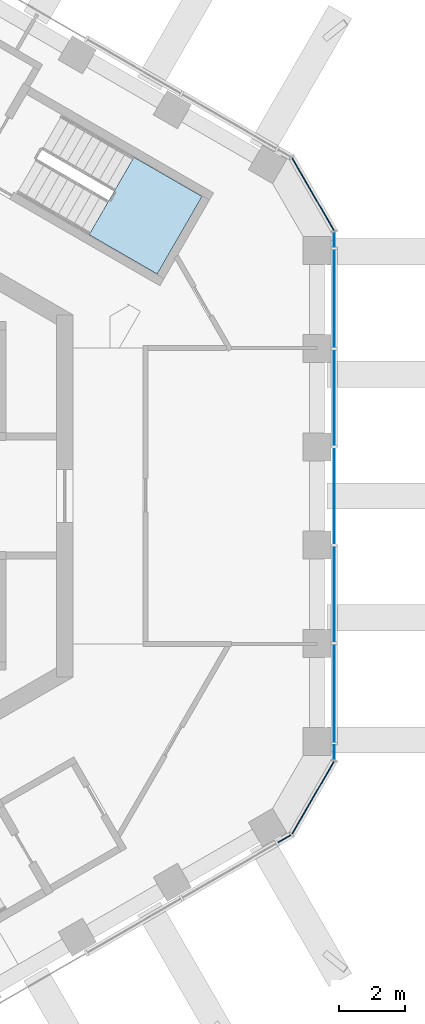
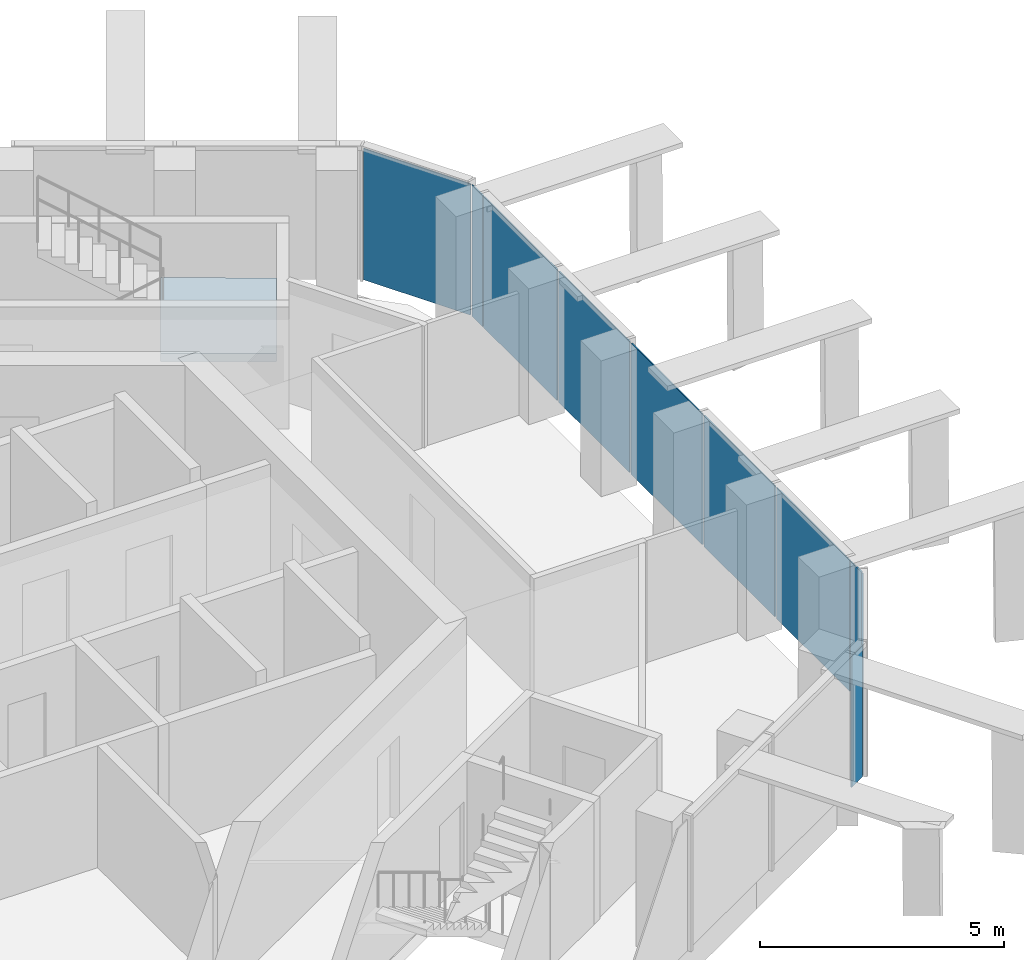
# One storey, part 9 of 17: 10 plates, 1 slab, 4 elements without a shape of their own.
"""IFC4 building model written with IfcOpenShell, lengths in metres."""

from ifc_helpers import new_model, si_unit, direction, frame, origin, origin_2d, place, context, subcontext, project, spatial, polyline, rectangle, outline, extrude, material, layer, layer_set, type_object, element, aggregate, save


model = new_model("IFC4")

# Units and contexts
model_context = context("Model", 3, precision=1e-05, world=origin(), true_north=direction((0.0, 1.0)))
body_context = subcontext(model_context, "Body", "Model", "MODEL_VIEW")
ifc_project = project(units=[si_unit("LENGTHUNIT", "METRE"), si_unit("AREAUNIT", "SQUARE_METRE"), si_unit("VOLUMEUNIT", "CUBIC_METRE"), si_unit("PLANEANGLEUNIT", "RADIAN"), si_unit("MASSUNIT", "GRAM", prefix="KILO")], contexts=[model_context])

# Site, building, storey
site_placement = place(None, origin())
site = spatial("IfcSite", under=ifc_project, at=site_placement, CompositionType="ELEMENT")
building_placement = place(site_placement, origin())
building = spatial("IfcBuilding", under=site, at=building_placement, Name="Ayvan Gate Tower", CompositionType="ELEMENT")
storey_placement = place(building_placement, frame((0.0, 0.0, 246.10009765625)))
storey = spatial("IfcBuildingStorey", under=building, at=storey_placement, Name="L66", CompositionType="ELEMENT", Elevation=246.10009765625)

# Stair, slab
ifc_material_1 = material(Name="Concrete C40/50", Category="concrete")
stair_type = type_object("IfcStairType", Name="ST-EXIT", PredefinedType="HALF_TURN_STAIR", material=ifc_material_1)
stair_placement = place(storey_placement, origin())
stair = element("IfcStair", 1, at=stair_placement, inside=storey, type_object=stair_type, Name="L66 Exit Stair S1", PredefinedType="HALF_TURN_STAIR")
ifc_layer_1 = layer(ifc_material_1, 0.199951171875)
ifc_layer_set_1 = layer_set([ifc_layer_1], Name="Concrete C40/50")
slab_type = type_object("IfcSlabType", Name="SL-LANDING-200", PredefinedType="LANDING", material=ifc_layer_set_1)
slab_placement = place(storey_placement, frame((0.0, 0.0, 1.5)))
slab = element("IfcSlab", 2, at=slab_placement, type_object=slab_type, Name="STS1 landing 1", PredefinedType="LANDING", context=body_context, shape_type="SweptSolid", body=[
    extrude(outline(polyline([(9.988525390625, 7.91064453125), (12.049560546875, 6.720458984375), (13.404541015625, 9.0673828125), (11.343505859375, 10.257568359375), (9.988525390625, 7.91064453125)])), origin(), (0.0, 0.0, 1.0), 0.199951171875),
])
aggregate(stair, [slab])

# Curtain wall, plates
ifc_material_2 = material(Name="Bronze anodised aluminium", Category="aluminium")
ifc_layer_2 = layer(ifc_material_2, 0.199951171875)
ifc_layer_set_2 = layer_set([ifc_layer_2], Name="Bronze anodised aluminium")
curtain_wall_type_1 = type_object("IfcCurtainWallType", Name="Stick curtain wall CW-2", PredefinedType="NOTDEFINED", material=ifc_layer_set_2)
curtain_wall_1_placement = place(storey_placement, origin())
curtain_wall_1 = element("IfcCurtainWall", 3, at=curtain_wall_1_placement, inside=storey, type_object=curtain_wall_type_1, Name="Stick curtain wall CW-2 L66", PredefinedType="NOTDEFINED")
ifc_material_3 = material(Name="Clear low-iron laminated glass", Category="glass")
ifc_layer_3 = layer(ifc_material_3, 0.028076171875)
ifc_layer_set_3 = layer_set([ifc_layer_3], Name="Clear low-iron laminated glass")
plate_type_1 = type_object("IfcPlateType", Name="Stick curtain wall CW-2 glass panel", PredefinedType="CURTAIN_PANEL", material=ifc_layer_set_3)
plate_1_placement = place(storey_placement, frame((17.41259765625, -5.999755859375, 0.0), z_axis=(0.0, 0.0, 1.0), x_axis=(0.0, 1.0, 0.0)))
plate_1 = element("IfcPlate", 4, at=plate_1_placement, type_object=plate_type_1, Name="CW-2 glass panel 1", PredefinedType="CURTAIN_PANEL", context=body_context, shape_type="SweptSolid", body=[
    extrude(rectangle(XDim=3.008056640625, YDim=0.028076171875, at=origin_2d()), origin(), (0.0, 0.0, 1.0), 3.280029296875),
])
plate_2_placement = place(storey_placement, frame((17.41259765625, -2.973876953125, 0.0), z_axis=(0.0, 0.0, 1.0), x_axis=(0.0, 1.0, 0.0)))
plate_2 = element("IfcPlate", 5, at=plate_2_placement, type_object=plate_type_1, Name="CW-2 glass panel 2", PredefinedType="CURTAIN_PANEL", context=body_context, shape_type="SweptSolid", body=[
    extrude(rectangle(XDim=2.904052734375, YDim=0.028076171875, at=origin_2d()), origin(), (0.0, 0.0, 1.0), 3.280029296875),
])
plate_3_placement = place(storey_placement, frame((17.41259765625, 0.000244140625, 0.0), z_axis=(0.0, 0.0, 1.0), x_axis=(0.0, 1.0, 0.0)))
plate_3 = element("IfcPlate", 6, at=plate_3_placement, type_object=plate_type_1, Name="CW-2 glass panel 3", PredefinedType="CURTAIN_PANEL", context=body_context, shape_type="SweptSolid", body=[
    extrude(rectangle(XDim=2.904052734375, YDim=0.028076171875, at=origin_2d()), origin(), (0.0, 0.0, 1.0), 3.280029296875),
])
plate_4_placement = place(storey_placement, frame((17.41259765625, 2.97412109375, 0.0), z_axis=(0.0, 0.0, 1.0), x_axis=(0.0, 1.0, 0.0)))
plate_4 = element("IfcPlate", 7, at=plate_4_placement, type_object=plate_type_1, Name="CW-2 glass panel 4", PredefinedType="CURTAIN_PANEL", context=body_context, shape_type="SweptSolid", body=[
    extrude(rectangle(XDim=2.904052734375, YDim=0.028076171875, at=origin_2d()), origin(), (0.0, 0.0, 1.0), 3.280029296875),
])
plate_5_placement = place(storey_placement, frame((17.41259765625, 6.0, 0.0), z_axis=(0.0, 0.0, 1.0), x_axis=(0.0, 1.0, 0.0)))
plate_5 = element("IfcPlate", 8, at=plate_5_placement, type_object=plate_type_1, Name="CW-2 glass panel 5", PredefinedType="CURTAIN_PANEL", context=body_context, shape_type="SweptSolid", body=[
    extrude(rectangle(XDim=3.007568359375, YDim=0.028076171875, at=origin_2d()), origin(), (0.0, 0.0, 1.0), 3.280029296875),
])
aggregate(curtain_wall_1, [plate_1, plate_2, plate_3, plate_4, plate_5])

ifc_layer_4 = layer(ifc_material_2, 0.199951171875)
ifc_layer_set_4 = layer_set([ifc_layer_4], Name="Bronze anodised aluminium")
curtain_wall_type_2 = type_object("IfcCurtainWallType", Name="Stick curtain wall CW-6", PredefinedType="NOTDEFINED", material=ifc_layer_set_4)
curtain_wall_2_placement = place(storey_placement, origin())
curtain_wall_2 = element("IfcCurtainWall", 9, at=curtain_wall_2_placement, inside=storey, type_object=curtain_wall_type_2, Name="Stick curtain wall CW-6 L66", PredefinedType="NOTDEFINED")
ifc_layer_5 = layer(ifc_material_3, 0.028076171875)
ifc_layer_set_5 = layer_set([ifc_layer_5], Name="Clear low-iron laminated glass")
plate_type_2 = type_object("IfcPlateType", Name="Stick curtain wall CW-6 glass panel", PredefinedType="CURTAIN_PANEL", material=ifc_layer_set_5)
plate_6_placement = place(storey_placement, frame((15.90478515625, -10.37548828125, 0.0), z_axis=(0.0, 0.0, 1.0), x_axis=(0.866025403784, 0.5, 0.0)))
plate_6 = element("IfcPlate", 10, at=plate_6_placement, type_object=plate_type_2, Name="CW-6 glass panel 1", PredefinedType="CURTAIN_PANEL", context=body_context, shape_type="SweptSolid", body=[
    extrude(rectangle(XDim=0.449951171875, YDim=0.028076171875, at=origin_2d()), origin(), (0.0, 0.0, 1.0), 3.280029296875),
])
plate_7_placement = place(storey_placement, frame((16.766845703125, -9.132080078125, 0.0), z_axis=(0.0, 0.0, 1.0), x_axis=(0.5, 0.866025403784, 0.0)))
plate_7 = element("IfcPlate", 11, at=plate_7_placement, type_object=plate_type_2, Name="CW-6 glass panel 2", PredefinedType="CURTAIN_PANEL", context=body_context, shape_type="SweptSolid", body=[
    extrude(rectangle(XDim=2.532470703125, YDim=0.028076171875, at=origin_2d()), origin(), (0.0, 0.0, 1.0), 3.280029296875),
])
plate_8_placement = place(storey_placement, frame((17.41259765625, -7.763916015625, 0.0), z_axis=(0.0, 0.0, 1.0), x_axis=(0.0, 1.0, 0.0)))
plate_8 = element("IfcPlate", 12, at=plate_8_placement, type_object=plate_type_2, Name="CW-6 glass panel 3", PredefinedType="CURTAIN_PANEL", context=body_context, shape_type="SweptSolid", body=[
    extrude(rectangle(XDim=0.449951171875, YDim=0.028076171875, at=origin_2d()), origin(), (0.0, 0.0, 1.0), 3.280029296875),
])
aggregate(curtain_wall_2, [plate_6, plate_7, plate_8])

curtain_wall_3_placement = place(storey_placement, origin())
curtain_wall_3 = element("IfcCurtainWall", 13, at=curtain_wall_3_placement, inside=storey, type_object=curtain_wall_type_2, Name="Stick curtain wall CW-6 L66", PredefinedType="NOTDEFINED")
plate_9_placement = place(storey_placement, frame((17.41259765625, 7.763916015625, 0.0), z_axis=(0.0, 0.0, 1.0), x_axis=(0.0, 1.0, 0.0)))
plate_9 = element("IfcPlate", 14, at=plate_9_placement, type_object=plate_type_2, Name="CW-6 glass panel 1", PredefinedType="CURTAIN_PANEL", context=body_context, shape_type="SweptSolid", body=[
    extrude(rectangle(XDim=0.449951171875, YDim=0.028076171875, at=origin_2d()), origin(), (0.0, 0.0, 1.0), 3.280029296875),
])
plate_10_placement = place(storey_placement, frame((16.766845703125, 9.132080078125, 0.0), z_axis=(0.0, 0.0, 1.0), x_axis=(-0.5, 0.866025403784, 0.0)))
plate_10 = element("IfcPlate", 15, at=plate_10_placement, type_object=plate_type_2, Name="CW-6 glass panel 2", PredefinedType="CURTAIN_PANEL", context=body_context, shape_type="SweptSolid", body=[
    extrude(rectangle(XDim=2.532470703125, YDim=0.028076171875, at=origin_2d()), origin(), (0.0, 0.0, 1.0), 3.280029296875),
])
aggregate(curtain_wall_3, [plate_9, plate_10])

save(model, "model.ifc")
